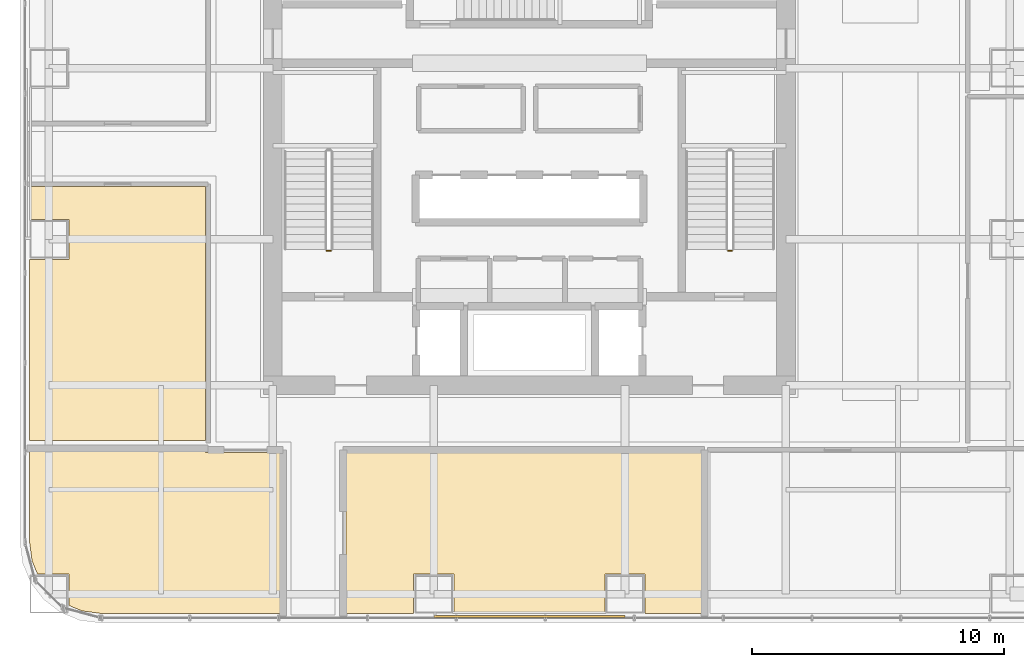
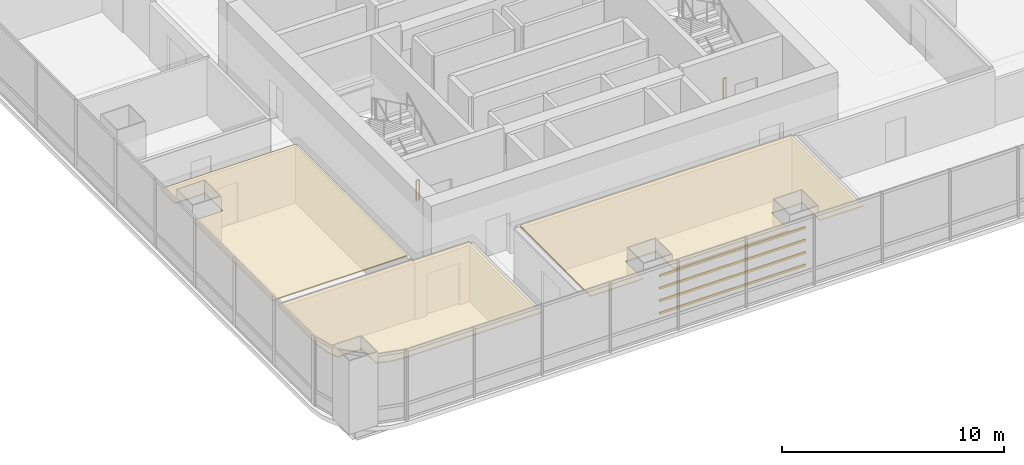
# One storey, part 30 of 34: 4 shading devices, 3 coverings, 2 railings.
"""IFC4 building model written with IfcOpenShell, lengths in metres."""

from ifc_helpers import new_model, si_unit, direction, frame, origin, origin_2d, place, context, subcontext, project, spatial, polyline, hollow_rectangle, circle, outline, extrude, material, layer, layer_set, material_profile, profile_set, type_object, element, save


model = new_model("IFC4")

# Units and contexts
model_context = context("Model", 3, precision=1e-05, world=origin(), true_north=direction((0.0, 1.0)))
body_context = subcontext(model_context, "Body", "Model", "MODEL_VIEW")
ifc_project = project(units=[si_unit("LENGTHUNIT", "METRE"), si_unit("AREAUNIT", "SQUARE_METRE"), si_unit("VOLUMEUNIT", "CUBIC_METRE"), si_unit("PLANEANGLEUNIT", "RADIAN"), si_unit("MASSUNIT", "GRAM", prefix="KILO")], contexts=[model_context])

# Site, building, storey
site_placement = place(None, origin())
site = spatial("IfcSite", under=ifc_project, at=site_placement, CompositionType="ELEMENT")
building_placement = place(site_placement, origin())
building = spatial("IfcBuilding", under=site, at=building_placement, Name="Punatoya Terracotta Tower", CompositionType="ELEMENT")
storey_placement = place(building_placement, frame((0.0, 0.0, 101.10009765625)))
storey = spatial("IfcBuildingStorey", under=building, at=storey_placement, Name="L23", CompositionType="ELEMENT", Elevation=101.10009765625)

# Coverings
ifc_material_1 = material(Name="Acoustic Mineral Fibre Ceiling")
ifc_layer = layer(ifc_material_1, 0.06005859375)
ifc_layer_set = layer_set([ifc_layer], Name="Acoustic Mineral Fibre Ceiling")
covering_type = type_object("IfcCoveringType", Name="COV-CEIL-60", PredefinedType="CEILING", material=ifc_layer_set)
covering_1_placement = place(storey_placement, frame((0.0, 0.0, 3.199951171875)))
element("IfcCovering", 1, at=covering_1_placement, inside=storey, type_object=covering_type, Name="L23 Open-Plan Client Dining Salon Acoustic Ceiling", PredefinedType="CEILING", context=body_context, shape_type="SweptSolid", body=[
    extrude(outline(polyline([(-3.0, -18.27001953125), (3.0, -18.27001953125), (3.0, -16.699951171875), (4.60009765625, -16.699951171875), (4.60009765625, -18.27001953125), (6.8701171875, -18.27001953125), (6.8701171875, -11.8701171875), (-7.300048828125, -11.8701171875), (-7.300048828125, -18.27001953125), (-4.60009765625, -18.27001953125), (-4.60009765625, -16.699951171875), (-3.0, -16.699951171875), (-3.0, -18.27001953125)])), origin(), (0.0, 0.0, 1.0), 0.06005859375),
])
covering_2_placement = place(storey_placement, frame((0.0, 0.0, 3.199951171875)))
element("IfcCovering", 2, at=covering_2_placement, inside=storey, type_object=covering_type, Name="L23 Open-Plan Executive Bistro Lounge Acoustic Ceiling", PredefinedType="CEILING", context=body_context, shape_type="SweptSolid", body=[
    extrude(outline(polyline([(-17.025146484375, -18.27001953125), (-9.89990234375, -18.27001953125), (-9.89990234375, -11.8701171875), (-12.8701171875, -11.8701171875), (-12.8701171875, -11.81005859375), (-19.8701171875, -11.81005859375), (-19.8701171875, -15.425048828125), (-19.770751953125, -16.178955078125), (-19.554931640625, -16.699951171875), (-18.300048828125, -16.699951171875), (-18.300048828125, -17.955078125), (-17.779052734375, -18.1708984375), (-17.025146484375, -18.27001953125)])), origin(), (0.0, 0.0, 1.0), 0.06005859375),
])
covering_3_placement = place(storey_placement, frame((0.0, 0.0, 3.199951171875)))
element("IfcCovering", 3, at=covering_3_placement, inside=storey, type_object=covering_type, Name="L23 Open-Plan Visitor Reception Salon Acoustic Ceiling", PredefinedType="CEILING", context=body_context, shape_type="SweptSolid", body=[
    extrude(outline(polyline([(-12.8701171875, -11.389892578125), (-12.8701171875, -1.300048828125), (-19.8701171875, -1.300048828125), (-19.8701171875, -2.60009765625), (-18.300048828125, -2.60009765625), (-18.300048828125, -4.199951171875), (-19.8701171875, -4.199951171875), (-19.8701171875, -11.389892578125), (-12.8701171875, -11.389892578125)])), origin(), (0.0, 0.0, 1.0), 0.06005859375),
])

# Railings
ifc_material_2 = material(Name="Steel S355", Category="steel")
railing_type = type_object("IfcRailingType", Name="RLG-GRD-1150", PredefinedType="GUARDRAIL", material=ifc_material_2)
for number, where, name in (
    (4, (-7.89990234375, -3.85009765625, 0.0), "L23 ST-1 stair guard 4"),
    (5, (8.050048828125, -3.85009765625, 0.0), "L23 ST-2 stair guard 4"),
):
    element("IfcRailing", number, at=place(storey_placement, frame(where)), inside=storey, type_object=railing_type, Name=name, PredefinedType="GUARDRAIL", context=body_context, shape_type="SweptSolid", body=[
        extrude(circle(Radius=0.02392578125, at=origin_2d()), frame((0.0, 0.0, 1.1259765625), z_axis=(-1.0, 0.0, 0.0), x_axis=(0.0, -1.0, 0.0)), (0.0, 0.0, 1.0), 0.150146484375),
        extrude(circle(Radius=0.02099609375, at=origin_2d()), origin(), (0.0, 0.0, 1.0), 1.101806640625),
        extrude(circle(Radius=0.02099609375, at=origin_2d()), frame((-0.150146484375, 0.0, 0.0)), (0.0, 0.0, 1.0), 1.101806640625),
    ])

# Shading devices
ifc_material_3 = material(Name="Architectural Fired Terracotta", Category="masonry")
ifc_material_profile = material_profile(ifc_material_3, hollow_rectangle(XDim=0.06494140625, YDim=0.1201171875, WallThickness=0.014892578125, at=origin_2d()))
ifc_profile_set = profile_set([ifc_material_profile], Name="Architectural Fired Terracotta")
shading_device_type = type_object("IfcShadingDeviceType", Name="SHD-BAG-120", PredefinedType="USERDEFINED", material=ifc_profile_set)
for number, where, z_axis, x_axis, name in (
    (6, (-3.800048828125, -18.389892578125, 1.14990234375), (1.0, 0.0, 0.0), (0.0, 1.0, 0.0), "L23 Fired Terracotta Baguette Louvre BAG-L23-S-01"),
    (7, (-3.800048828125, -18.389892578125, 1.836669921875), (1.0, 0.0, 0.0), (0.0, 1.0, 0.0), "L23 Fired Terracotta Baguette Louvre BAG-L23-S-02"),
    (8, (-3.800048828125, -18.389892578125, 2.523193359375), (1.0, 0.0, 0.0), (0.0, 1.0, 0.0), "L23 Fired Terracotta Baguette Louvre BAG-L23-S-03"),
    (9, (-3.800048828125, -18.389892578125, 3.2099609375), (1.0, 0.0, 0.0), (0.0, 1.0, 0.0), "L23 Fired Terracotta Baguette Louvre BAG-L23-S-04"),
):
    element("IfcShadingDevice", number, at=place(storey_placement, frame(where, z_axis=z_axis, x_axis=x_axis)), inside=storey, type_object=shading_device_type, Name=name, ObjectType="BAGUETTE", PredefinedType="USERDEFINED", context=body_context, shape_type="SweptSolid", body=[
        extrude(hollow_rectangle(XDim=0.06494140625, YDim=0.1201171875, WallThickness=0.014892578125, at=origin_2d()), origin(), (0.0, 0.0, 1.0), 7.60009765625),
    ])

save(model, "model.ifc")
